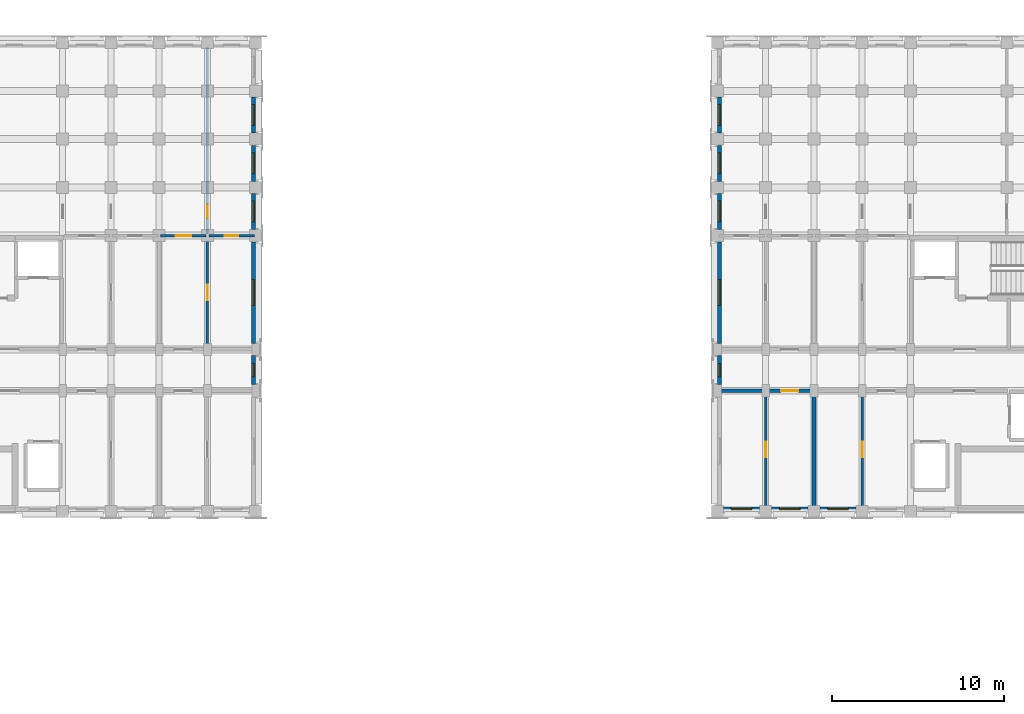
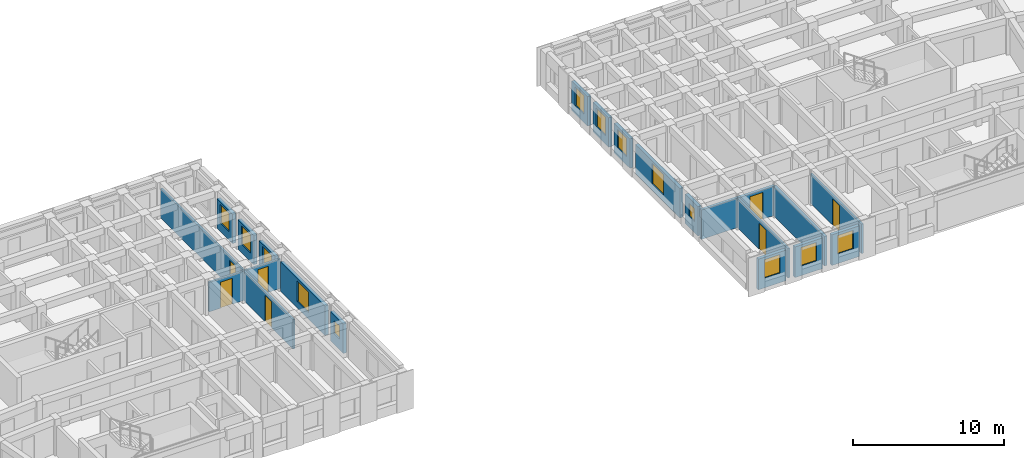
# One storey, part 29 of 57: 22 walls, 13 windows, 7 doors, 20 openings.
"""IFC4 building model written with IfcOpenShell, lengths in metres."""

from ifc_helpers import new_model, si_unit, direction, frame, frame_2d, origin, place, context, subcontext, project, spatial, rectangle, extrude, material, layer, layer_set, type_object, element, fill, save


model = new_model("IFC4")

# Units and contexts
model_context = context("Model", 3, precision=1e-05, world=origin(), true_north=direction((0.0, 1.0)))
body_context = subcontext(model_context, "Body", "Model", "MODEL_VIEW")
ifc_project = project(units=[si_unit("LENGTHUNIT", "METRE"), si_unit("AREAUNIT", "SQUARE_METRE"), si_unit("VOLUMEUNIT", "CUBIC_METRE"), si_unit("PLANEANGLEUNIT", "RADIAN"), si_unit("MASSUNIT", "GRAM", prefix="KILO")], contexts=[model_context])

# Site, building, storey
site_placement = place(None, origin())
site = spatial("IfcSite", under=ifc_project, at=site_placement, CompositionType="ELEMENT")
building_placement = place(site_placement, origin())
building = spatial("IfcBuilding", under=site, at=building_placement, Name="Kiranvali Square Residences", CompositionType="ELEMENT")
storey_placement = place(building_placement, frame((0.0, 0.0, 18.14990234375)))
storey = spatial("IfcBuildingStorey", under=building, at=storey_placement, Name="L05", CompositionType="ELEMENT", Elevation=18.14990234375)

# Wall, opening, door
ifc_material_1 = material(Name="Autoclaved aerated concrete blockwork masonry", Category="masonry")
ifc_layer_1 = layer(ifc_material_1, 0.199951171875)
ifc_layer_set_1 = layer_set([ifc_layer_1], Name="Autoclaved aerated concrete blockwork masonry")
wall_type_1 = type_object("IfcWallType", Name="WL-COR-200", PredefinedType="STANDARD", material=ifc_layer_set_1)
wall_1_placement = place(storey_placement, frame((103.0, 113.60009765625, 0.0), z_axis=(0.0, 0.0, 1.0), x_axis=(-1.0, 0.0, 0.0)))
wall_1 = element("IfcWall", 1, at=wall_1_placement, inside=storey, type_object=wall_type_1, Name="L05 architectural wall WL-L05-B-A1CI-2", PredefinedType="STANDARD", context=body_context, shape_type="SweptSolid", body=[
    extrude(rectangle(XDim=2.800048828125, YDim=0.199951171875, at=frame_2d((1.39990234375, 0.0))), origin(), (0.0, 0.0, 1.0), 2.3720703125),
])
opening_1_placement = place(wall_1_placement, frame((0.89990234375, 0.0, 0.0)))
opening_1 = element("IfcOpeningElement", 2, at=opening_1_placement, cuts=wall_1, Name="Opening FD-APT-60", PredefinedType="OPENING", context=body_context, shape_type="SweptSolid", body=[
    extrude(rectangle(XDim=1.0, YDim=2.14990234375, at=frame_2d((0.5, 1.074951171875))), frame((0.0, 0.10986328125, 0.0), z_axis=(0.0, -1.0, 0.0), x_axis=(1.0, 0.0, 0.0)), (0.0, 0.0, 1.0), 0.219970703125),
])
ifc_material_2 = material(Name="Fire-rated acoustic hardwood and mineral-core door assembly", Category="wood")
door_type_1 = type_object("IfcDoorType", Name="DR-APT-1000", OperationType="NOTDEFINED", PredefinedType="DOOR", material=ifc_material_2)
door_1_placement = place(opening_1_placement, origin())
door_1 = element("IfcDoor", 3, at=door_1_placement, inside=storey, type_object=door_type_1, Name="L05 door DR-L05-1271 (DR-APT-1000)", OperationType="SINGLE_SWING_LEFT", OverallHeight=2.14990234375, OverallWidth=1.0, PredefinedType="DOOR", context=body_context, shape_type="SweptSolid", body=[
    extrude(rectangle(XDim=1.0, YDim=2.14990234375, at=frame_2d((0.5, 1.074951171875))), frame((0.0, 0.02490234375, 0.0), z_axis=(0.0, -1.0, 0.0), x_axis=(1.0, 0.0, 0.0)), (0.0, 0.0, 1.0), 0.050048828125),
])
fill(opening_1, door_1)

# Walls
wall_2_placement = place(storey_placement, frame((100.199951171875, 113.60009765625, 0.0), z_axis=(0.0, 0.0, 1.0), x_axis=(-1.0, 0.0, 0.0)))
element("IfcWall", 4, at=wall_2_placement, inside=storey, type_object=wall_type_1, Name="L05 architectural wall WL-L05-B-A1CI-3", PredefinedType="STANDARD", context=body_context, shape_type="SweptSolid", body=[
    extrude(rectangle(XDim=2.800048828125, YDim=0.199951171875, at=frame_2d((1.39990234375, 0.0))), origin(), (0.0, 0.0, 1.0), 2.3720703125),
])
ifc_layer_2 = layer(ifc_material_1, 0.219970703125)
ifc_layer_set_2 = layer_set([ifc_layer_2], Name="Autoclaved aerated concrete blockwork masonry")
wall_type_2 = type_object("IfcWallType", Name="WL-DEM-220", PredefinedType="STANDARD", material=ifc_layer_set_2)
wall_3_placement = place(storey_placement, frame((103.0, 106.800048828125, 0.0), z_axis=(0.0, 0.0, 1.0), x_axis=(0.0, 1.0, 0.0)))
element("IfcWall", 5, at=wall_3_placement, inside=storey, type_object=wall_type_2, Name="L05 architectural wall WL-L05-B-A1TI-2", PredefinedType="STANDARD", context=body_context, shape_type="SweptSolid", body=[
    extrude(rectangle(XDim=6.75, YDim=0.219970703125, at=frame_2d((3.375, 0.0))), origin(), (0.0, 0.0, 1.0), 2.3720703125),
])

# Wall, opening, window
ifc_material_3 = material(Name="Breathable lime-rendered clay brick masonry", Category="masonry")
ifc_layer_3 = layer(ifc_material_3, 0.25)
ifc_layer_set_3 = layer_set([ifc_layer_3], Name="Breathable lime-rendered clay brick masonry")
wall_type_3 = type_object("IfcWallType", Name="WL-EXT-250", PredefinedType="STANDARD", material=ifc_layer_set_3)
wall_4_placement = place(storey_placement, frame((70.47509765625, 113.95361328125, 0.0), z_axis=(0.0, 0.0, 1.0), x_axis=(0.0, 1.0, 0.0)))
wall_4 = element("IfcWall", 6, at=wall_4_placement, inside=storey, type_object=wall_type_3, Name="L05 exterior wall A-L05-A1END-1", PredefinedType="STANDARD", context=body_context, shape_type="SweptSolid", body=[
    extrude(rectangle(XDim=1.69287109375, YDim=0.25, at=frame_2d((0.846435546875, 0.0))), origin(), (0.0, 0.0, 1.0), 2.3720703125),
])
opening_2_placement = place(wall_4_placement, frame((0.471435546875, 0.0, 0.8798828125)))
opening_2 = element("IfcOpeningElement", 7, at=opening_2_placement, cuts=wall_4, Name="Opening W-07", PredefinedType="OPENING", context=body_context, shape_type="SweptSolid", body=[
    extrude(rectangle(XDim=0.75, YDim=1.050048828125, at=frame_2d((0.375, 0.52490234375))), frame((0.0, 0.135009765625, 0.0), z_axis=(0.0, -1.0, 0.0), x_axis=(1.0, 0.0, 0.0)), (0.0, 0.0, 1.0), 0.27001953125),
])
ifc_material_4 = material(Name="Solar-control low-e double glazing", Category="glass")
window_type_1 = type_object("IfcWindowType", Name="WIN-WET-750x1050", PartitioningType="SINGLE_PANEL", PredefinedType="WINDOW", material=ifc_material_4)
window_1_placement = place(opening_2_placement, origin())
window_1 = element("IfcWindow", 8, at=window_1_placement, inside=storey, type_object=window_type_1, Name="L05 recessed window A-L05-A1END-1", OverallHeight=1.050048828125, OverallWidth=0.75, PartitioningType="SINGLE_PANEL", PredefinedType="WINDOW", context=body_context, shape_type="SweptSolid", body=[
    extrude(rectangle(XDim=0.75, YDim=1.050048828125, at=frame_2d((0.375, 0.52490234375))), frame((0.0, 0.030029296875, 0.0), z_axis=(0.0, -1.0, 0.0), x_axis=(1.0, 0.0, 0.0)), (0.0, 0.0, 1.0), 0.06005859375),
])
fill(opening_2, window_1)

wall_5_placement = place(storey_placement, frame((70.47509765625, 116.353515625, 0.0), z_axis=(0.0, 0.0, 1.0), x_axis=(0.0, 1.0, 0.0)))
wall_5 = element("IfcWall", 9, at=wall_5_placement, inside=storey, type_object=wall_type_3, Name="L05 exterior wall A-L05-A1END-2", PredefinedType="STANDARD", context=body_context, shape_type="SweptSolid", body=[
    extrude(rectangle(XDim=5.89306640625, YDim=0.25, at=frame_2d((2.946533203125, 0.0))), origin(), (0.0, 0.0, 1.0), 2.3720703125),
])
opening_3_placement = place(wall_5_placement, frame((2.196533203125, 0.0, 0.52197265625)))
opening_3 = element("IfcOpeningElement", 10, at=opening_3_placement, cuts=wall_5, Name="Opening W-05", PredefinedType="OPENING", context=body_context, shape_type="SweptSolid", body=[
    extrude(rectangle(XDim=1.5, YDim=1.64990234375, at=frame_2d((0.75, 0.824951171875))), frame((0.0, 0.135009765625, 0.0), z_axis=(0.0, -1.0, 0.0), x_axis=(1.0, 0.0, 0.0)), (0.0, 0.0, 1.0), 0.27001953125),
])
window_type_2 = type_object("IfcWindowType", Name="WIN-RES-1500x1650", PartitioningType="DOUBLE_PANEL_VERTICAL", PredefinedType="WINDOW", material=ifc_material_4)
window_2_placement = place(opening_3_placement, origin())
window_2 = element("IfcWindow", 11, at=window_2_placement, inside=storey, type_object=window_type_2, Name="L05 recessed window A-L05-A1END-2", OverallHeight=1.64990234375, OverallWidth=1.5, PartitioningType="DOUBLE_PANEL_VERTICAL", PredefinedType="WINDOW", context=body_context, shape_type="SweptSolid", body=[
    extrude(rectangle(XDim=1.5, YDim=1.64990234375, at=frame_2d((0.75, 0.824951171875))), frame((0.0, 0.030029296875, 0.0), z_axis=(0.0, -1.0, 0.0), x_axis=(1.0, 0.0, 0.0)), (0.0, 0.0, 1.0), 0.06005859375),
])
fill(opening_3, window_2)

wall_6_placement = place(storey_placement, frame((70.47509765625, 122.95361328125, 0.0), z_axis=(0.0, 0.0, 1.0), x_axis=(0.0, 1.0, 0.0)))
wall_6 = element("IfcWall", 12, at=wall_6_placement, inside=storey, type_object=wall_type_3, Name="L05 exterior wall A-L05-A1END-3", PredefinedType="STANDARD", context=body_context, shape_type="SweptSolid", body=[
    extrude(rectangle(XDim=2.0927734375, YDim=0.25, at=frame_2d((1.04638671875, 0.0))), origin(), (0.0, 0.0, 1.0), 2.3720703125),
])
opening_4_placement = place(wall_6_placement, frame((0.446533203125, 0.0, 0.672119140625)))
opening_4 = element("IfcOpeningElement", 13, at=opening_4_placement, cuts=wall_6, Name="Opening W-06", PredefinedType="OPENING", context=body_context, shape_type="SweptSolid", body=[
    extrude(rectangle(XDim=1.199951171875, YDim=1.5, at=frame_2d((0.60009765625, 0.75))), frame((0.0, 0.135009765625, 0.0), z_axis=(0.0, -1.0, 0.0), x_axis=(1.0, 0.0, 0.0)), (0.0, 0.0, 1.0), 0.27001953125),
])
window_type_3 = type_object("IfcWindowType", Name="WIN-RES-1200x1500", PartitioningType="SINGLE_PANEL", PredefinedType="WINDOW", material=ifc_material_4)
window_3_placement = place(opening_4_placement, origin())
window_3 = element("IfcWindow", 14, at=window_3_placement, inside=storey, type_object=window_type_3, Name="L05 recessed window A-L05-A1END-3", OverallHeight=1.5, OverallWidth=1.199951171875, PartitioningType="SINGLE_PANEL", PredefinedType="WINDOW", context=body_context, shape_type="SweptSolid", body=[
    extrude(rectangle(XDim=1.199951171875, YDim=1.5, at=frame_2d((0.60009765625, 0.75))), frame((0.0, 0.030029296875, 0.0), z_axis=(0.0, -1.0, 0.0), x_axis=(1.0, 0.0, 0.0)), (0.0, 0.0, 1.0), 0.06005859375),
])
fill(opening_4, window_3)

wall_7_placement = place(storey_placement, frame((70.47509765625, 125.75341796875, 0.0), z_axis=(0.0, 0.0, 1.0), x_axis=(0.0, 1.0, 0.0)))
wall_7 = element("IfcWall", 15, at=wall_7_placement, inside=storey, type_object=wall_type_3, Name="L05 exterior wall A-L05-A1END-4", PredefinedType="STANDARD", context=body_context, shape_type="SweptSolid", body=[
    extrude(rectangle(XDim=2.093017578125, YDim=0.25, at=frame_2d((1.04638671875, 0.0))), origin(), (0.0, 0.0, 1.0), 2.3720703125),
])
opening_5_placement = place(wall_7_placement, frame((0.446533203125, 0.0, 0.672119140625)))
opening_5 = element("IfcOpeningElement", 16, at=opening_5_placement, cuts=wall_7, Name="Opening W-06", PredefinedType="OPENING", context=body_context, shape_type="SweptSolid", body=[
    extrude(rectangle(XDim=1.199951171875, YDim=1.5, at=frame_2d((0.60009765625, 0.75))), frame((0.0, 0.135009765625, 0.0), z_axis=(0.0, -1.0, 0.0), x_axis=(1.0, 0.0, 0.0)), (0.0, 0.0, 1.0), 0.27001953125),
])
window_4_placement = place(opening_5_placement, origin())
window_4 = element("IfcWindow", 17, at=window_4_placement, inside=storey, type_object=window_type_3, Name="L05 recessed window A-L05-A1END-4", OverallHeight=1.5, OverallWidth=1.199951171875, PartitioningType="SINGLE_PANEL", PredefinedType="WINDOW", context=body_context, shape_type="SweptSolid", body=[
    extrude(rectangle(XDim=1.199951171875, YDim=1.5, at=frame_2d((0.60009765625, 0.75))), frame((0.0, 0.030029296875, 0.0), z_axis=(0.0, -1.0, 0.0), x_axis=(1.0, 0.0, 0.0)), (0.0, 0.0, 1.0), 0.06005859375),
])
fill(opening_5, window_4)

wall_8_placement = place(storey_placement, frame((70.47509765625, 128.553466796875, 0.0), z_axis=(0.0, 0.0, 1.0), x_axis=(0.0, 1.0, 0.0)))
wall_8 = element("IfcWall", 18, at=wall_8_placement, inside=storey, type_object=wall_type_3, Name="L05 exterior wall A-L05-A1END-5", PredefinedType="STANDARD", context=body_context, shape_type="SweptSolid", body=[
    extrude(rectangle(XDim=2.093017578125, YDim=0.25, at=frame_2d((1.04638671875, 0.0))), origin(), (0.0, 0.0, 1.0), 2.3720703125),
])
opening_6_placement = place(wall_8_placement, frame((0.446533203125, 0.0, 0.672119140625)))
opening_6 = element("IfcOpeningElement", 19, at=opening_6_placement, cuts=wall_8, Name="Opening W-06", PredefinedType="OPENING", context=body_context, shape_type="SweptSolid", body=[
    extrude(rectangle(XDim=1.199951171875, YDim=1.5, at=frame_2d((0.60009765625, 0.75))), frame((0.0, 0.135009765625, 0.0), z_axis=(0.0, -1.0, 0.0), x_axis=(1.0, 0.0, 0.0)), (0.0, 0.0, 1.0), 0.27001953125),
])
window_5_placement = place(opening_6_placement, origin())
window_5 = element("IfcWindow", 20, at=window_5_placement, inside=storey, type_object=window_type_3, Name="L05 recessed window A-L05-A1END-5", OverallHeight=1.5, OverallWidth=1.199951171875, PartitioningType="SINGLE_PANEL", PredefinedType="WINDOW", context=body_context, shape_type="SweptSolid", body=[
    extrude(rectangle(XDim=1.199951171875, YDim=1.5, at=frame_2d((0.60009765625, 0.75))), frame((0.0, 0.030029296875, 0.0), z_axis=(0.0, -1.0, 0.0), x_axis=(1.0, 0.0, 0.0)), (0.0, 0.0, 1.0), 0.06005859375),
])
fill(opening_6, window_5)

wall_9_placement = place(storey_placement, frame((105.446533203125, 106.72509765625, 0.0), z_axis=(0.0, 0.0, 1.0), x_axis=(-1.0, 0.0, 0.0)))
wall_9 = element("IfcWall", 21, at=wall_9_placement, inside=storey, type_object=wall_type_3, Name="L05 exterior wall B-L05-A1I-1", PredefinedType="STANDARD", context=body_context, shape_type="SweptSolid", body=[
    extrude(rectangle(XDim=2.093017578125, YDim=0.25, at=frame_2d((1.04638671875, 0.0))), origin(), (0.0, 0.0, 1.0), 2.47216796875),
])
opening_7_placement = place(wall_9_placement, frame((0.446533203125, 0.0, 0.77197265625)))
opening_7 = element("IfcOpeningElement", 22, at=opening_7_placement, cuts=wall_9, Name="Opening W-06", PredefinedType="OPENING", context=body_context, shape_type="SweptSolid", body=[
    extrude(rectangle(XDim=1.199951171875, YDim=1.5, at=frame_2d((0.60009765625, 0.75))), frame((0.0, 0.135009765625, 0.0), z_axis=(0.0, -1.0, 0.0), x_axis=(1.0, 0.0, 0.0)), (0.0, 0.0, 1.0), 0.27001953125),
])
window_6_placement = place(opening_7_placement, origin())
window_6 = element("IfcWindow", 23, at=window_6_placement, inside=storey, type_object=window_type_3, Name="L05 recessed window B-L05-A1I-1", OverallHeight=1.5, OverallWidth=1.199951171875, PartitioningType="SINGLE_PANEL", PredefinedType="WINDOW", context=body_context, shape_type="SweptSolid", body=[
    extrude(rectangle(XDim=1.199951171875, YDim=1.5, at=frame_2d((0.60009765625, 0.75))), frame((0.0, 0.030029296875, 0.0), z_axis=(0.0, -1.0, 0.0), x_axis=(1.0, 0.0, 0.0)), (0.0, 0.0, 1.0), 0.06005859375),
])
fill(opening_7, window_6)

wall_10_placement = place(storey_placement, frame((102.646484375, 106.72509765625, 0.0), z_axis=(0.0, 0.0, 1.0), x_axis=(-1.0, 0.0, 0.0)))
wall_10 = element("IfcWall", 24, at=wall_10_placement, inside=storey, type_object=wall_type_3, Name="L05 exterior wall B-L05-A1I-2", PredefinedType="STANDARD", context=body_context, shape_type="SweptSolid", body=[
    extrude(rectangle(XDim=2.093017578125, YDim=0.25, at=frame_2d((1.04638671875, 0.0))), origin(), (0.0, 0.0, 1.0), 2.47216796875),
])
opening_8_placement = place(wall_10_placement, frame((0.446533203125, 0.0, 0.77197265625)))
opening_8 = element("IfcOpeningElement", 25, at=opening_8_placement, cuts=wall_10, Name="Opening W-06", PredefinedType="OPENING", context=body_context, shape_type="SweptSolid", body=[
    extrude(rectangle(XDim=1.199951171875, YDim=1.5, at=frame_2d((0.60009765625, 0.75))), frame((0.0, 0.135009765625, 0.0), z_axis=(0.0, -1.0, 0.0), x_axis=(1.0, 0.0, 0.0)), (0.0, 0.0, 1.0), 0.27001953125),
])
window_7_placement = place(opening_8_placement, origin())
window_7 = element("IfcWindow", 26, at=window_7_placement, inside=storey, type_object=window_type_3, Name="L05 recessed window B-L05-A1I-2", OverallHeight=1.5, OverallWidth=1.199951171875, PartitioningType="SINGLE_PANEL", PredefinedType="WINDOW", context=body_context, shape_type="SweptSolid", body=[
    extrude(rectangle(XDim=1.199951171875, YDim=1.5, at=frame_2d((0.60009765625, 0.75))), frame((0.0, 0.030029296875, 0.0), z_axis=(0.0, -1.0, 0.0), x_axis=(1.0, 0.0, 0.0)), (0.0, 0.0, 1.0), 0.06005859375),
])
fill(opening_8, window_7)

wall_11_placement = place(storey_placement, frame((99.846435546875, 106.72509765625, 0.0), z_axis=(0.0, 0.0, 1.0), x_axis=(-1.0, 0.0, 0.0)))
wall_11 = element("IfcWall", 27, at=wall_11_placement, inside=storey, type_object=wall_type_3, Name="L05 exterior wall B-L05-A1I-3", PredefinedType="STANDARD", context=body_context, shape_type="SweptSolid", body=[
    extrude(rectangle(XDim=2.093017578125, YDim=0.25, at=frame_2d((1.04638671875, 0.0))), origin(), (0.0, 0.0, 1.0), 2.47216796875),
])
opening_9_placement = place(wall_11_placement, frame((0.446533203125, 0.0, 0.77197265625)))
opening_9 = element("IfcOpeningElement", 28, at=opening_9_placement, cuts=wall_11, Name="Opening W-06", PredefinedType="OPENING", context=body_context, shape_type="SweptSolid", body=[
    extrude(rectangle(XDim=1.199951171875, YDim=1.5, at=frame_2d((0.60009765625, 0.75))), frame((0.0, 0.135009765625, 0.0), z_axis=(0.0, -1.0, 0.0), x_axis=(1.0, 0.0, 0.0)), (0.0, 0.0, 1.0), 0.27001953125),
])
window_8_placement = place(opening_9_placement, origin())
window_8 = element("IfcWindow", 29, at=window_8_placement, inside=storey, type_object=window_type_3, Name="L05 recessed window B-L05-A1I-3", OverallHeight=1.5, OverallWidth=1.199951171875, PartitioningType="SINGLE_PANEL", PredefinedType="WINDOW", context=body_context, shape_type="SweptSolid", body=[
    extrude(rectangle(XDim=1.199951171875, YDim=1.5, at=frame_2d((0.60009765625, 0.75))), frame((0.0, 0.030029296875, 0.0), z_axis=(0.0, -1.0, 0.0), x_axis=(1.0, 0.0, 0.0)), (0.0, 0.0, 1.0), 0.06005859375),
])
fill(opening_9, window_8)

wall_12_placement = place(storey_placement, frame((97.52490234375, 113.95361328125, 0.0), z_axis=(0.0, 0.0, 1.0), x_axis=(0.0, 1.0, 0.0)))
wall_12 = element("IfcWall", 30, at=wall_12_placement, inside=storey, type_object=wall_type_3, Name="L05 exterior wall B-L05-A1END-1", PredefinedType="STANDARD", context=body_context, shape_type="SweptSolid", body=[
    extrude(rectangle(XDim=1.69287109375, YDim=0.25, at=frame_2d((0.846435546875, 0.0))), origin(), (0.0, 0.0, 1.0), 2.3720703125),
])
opening_10_placement = place(wall_12_placement, frame((0.471435546875, 0.0, 0.8798828125)))
opening_10 = element("IfcOpeningElement", 31, at=opening_10_placement, cuts=wall_12, Name="Opening W-07", PredefinedType="OPENING", context=body_context, shape_type="SweptSolid", body=[
    extrude(rectangle(XDim=0.75, YDim=1.050048828125, at=frame_2d((0.375, 0.52490234375))), frame((0.0, 0.135009765625, 0.0), z_axis=(0.0, -1.0, 0.0), x_axis=(1.0, 0.0, 0.0)), (0.0, 0.0, 1.0), 0.27001953125),
])
window_9_placement = place(opening_10_placement, origin())
window_9 = element("IfcWindow", 32, at=window_9_placement, inside=storey, type_object=window_type_1, Name="L05 recessed window B-L05-A1END-1", OverallHeight=1.050048828125, OverallWidth=0.75, PartitioningType="SINGLE_PANEL", PredefinedType="WINDOW", context=body_context, shape_type="SweptSolid", body=[
    extrude(rectangle(XDim=0.75, YDim=1.050048828125, at=frame_2d((0.375, 0.52490234375))), frame((0.0, 0.030029296875, 0.0), z_axis=(0.0, -1.0, 0.0), x_axis=(1.0, 0.0, 0.0)), (0.0, 0.0, 1.0), 0.06005859375),
])
fill(opening_10, window_9)

wall_13_placement = place(storey_placement, frame((97.52490234375, 116.353515625, 0.0), z_axis=(0.0, 0.0, 1.0), x_axis=(0.0, 1.0, 0.0)))
wall_13 = element("IfcWall", 33, at=wall_13_placement, inside=storey, type_object=wall_type_3, Name="L05 exterior wall B-L05-A1END-2", PredefinedType="STANDARD", context=body_context, shape_type="SweptSolid", body=[
    extrude(rectangle(XDim=5.89306640625, YDim=0.25, at=frame_2d((2.946533203125, 0.0))), origin(), (0.0, 0.0, 1.0), 2.3720703125),
])
opening_11_placement = place(wall_13_placement, frame((2.196533203125, 0.0, 0.52197265625)))
opening_11 = element("IfcOpeningElement", 34, at=opening_11_placement, cuts=wall_13, Name="Opening W-05", PredefinedType="OPENING", context=body_context, shape_type="SweptSolid", body=[
    extrude(rectangle(XDim=1.5, YDim=1.64990234375, at=frame_2d((0.75, 0.824951171875))), frame((0.0, 0.135009765625, 0.0), z_axis=(0.0, -1.0, 0.0), x_axis=(1.0, 0.0, 0.0)), (0.0, 0.0, 1.0), 0.27001953125),
])
window_10_placement = place(opening_11_placement, origin())
window_10 = element("IfcWindow", 35, at=window_10_placement, inside=storey, type_object=window_type_2, Name="L05 recessed window B-L05-A1END-2", OverallHeight=1.64990234375, OverallWidth=1.5, PartitioningType="DOUBLE_PANEL_VERTICAL", PredefinedType="WINDOW", context=body_context, shape_type="SweptSolid", body=[
    extrude(rectangle(XDim=1.5, YDim=1.64990234375, at=frame_2d((0.75, 0.824951171875))), frame((0.0, 0.030029296875, 0.0), z_axis=(0.0, -1.0, 0.0), x_axis=(1.0, 0.0, 0.0)), (0.0, 0.0, 1.0), 0.06005859375),
])
fill(opening_11, window_10)

wall_14_placement = place(storey_placement, frame((97.52490234375, 122.95361328125, 0.0), z_axis=(0.0, 0.0, 1.0), x_axis=(0.0, 1.0, 0.0)))
wall_14 = element("IfcWall", 36, at=wall_14_placement, inside=storey, type_object=wall_type_3, Name="L05 exterior wall B-L05-A1END-3", PredefinedType="STANDARD", context=body_context, shape_type="SweptSolid", body=[
    extrude(rectangle(XDim=2.0927734375, YDim=0.25, at=frame_2d((1.04638671875, 0.0))), origin(), (0.0, 0.0, 1.0), 2.3720703125),
])
opening_12_placement = place(wall_14_placement, frame((0.446533203125, 0.0, 0.672119140625)))
opening_12 = element("IfcOpeningElement", 37, at=opening_12_placement, cuts=wall_14, Name="Opening W-06", PredefinedType="OPENING", context=body_context, shape_type="SweptSolid", body=[
    extrude(rectangle(XDim=1.199951171875, YDim=1.5, at=frame_2d((0.60009765625, 0.75))), frame((0.0, 0.135009765625, 0.0), z_axis=(0.0, -1.0, 0.0), x_axis=(1.0, 0.0, 0.0)), (0.0, 0.0, 1.0), 0.27001953125),
])
window_11_placement = place(opening_12_placement, origin())
window_11 = element("IfcWindow", 38, at=window_11_placement, inside=storey, type_object=window_type_3, Name="L05 recessed window B-L05-A1END-3", OverallHeight=1.5, OverallWidth=1.199951171875, PartitioningType="SINGLE_PANEL", PredefinedType="WINDOW", context=body_context, shape_type="SweptSolid", body=[
    extrude(rectangle(XDim=1.199951171875, YDim=1.5, at=frame_2d((0.60009765625, 0.75))), frame((0.0, 0.030029296875, 0.0), z_axis=(0.0, -1.0, 0.0), x_axis=(1.0, 0.0, 0.0)), (0.0, 0.0, 1.0), 0.06005859375),
])
fill(opening_12, window_11)

wall_15_placement = place(storey_placement, frame((97.52490234375, 125.75341796875, 0.0), z_axis=(0.0, 0.0, 1.0), x_axis=(0.0, 1.0, 0.0)))
wall_15 = element("IfcWall", 39, at=wall_15_placement, inside=storey, type_object=wall_type_3, Name="L05 exterior wall B-L05-A1END-4", PredefinedType="STANDARD", context=body_context, shape_type="SweptSolid", body=[
    extrude(rectangle(XDim=2.093017578125, YDim=0.25, at=frame_2d((1.04638671875, 0.0))), origin(), (0.0, 0.0, 1.0), 2.3720703125),
])
opening_13_placement = place(wall_15_placement, frame((0.446533203125, 0.0, 0.672119140625)))
opening_13 = element("IfcOpeningElement", 40, at=opening_13_placement, cuts=wall_15, Name="Opening W-06", PredefinedType="OPENING", context=body_context, shape_type="SweptSolid", body=[
    extrude(rectangle(XDim=1.199951171875, YDim=1.5, at=frame_2d((0.60009765625, 0.75))), frame((0.0, 0.135009765625, 0.0), z_axis=(0.0, -1.0, 0.0), x_axis=(1.0, 0.0, 0.0)), (0.0, 0.0, 1.0), 0.27001953125),
])
window_12_placement = place(opening_13_placement, origin())
window_12 = element("IfcWindow", 41, at=window_12_placement, inside=storey, type_object=window_type_3, Name="L05 recessed window B-L05-A1END-4", OverallHeight=1.5, OverallWidth=1.199951171875, PartitioningType="SINGLE_PANEL", PredefinedType="WINDOW", context=body_context, shape_type="SweptSolid", body=[
    extrude(rectangle(XDim=1.199951171875, YDim=1.5, at=frame_2d((0.60009765625, 0.75))), frame((0.0, 0.030029296875, 0.0), z_axis=(0.0, -1.0, 0.0), x_axis=(1.0, 0.0, 0.0)), (0.0, 0.0, 1.0), 0.06005859375),
])
fill(opening_13, window_12)

wall_16_placement = place(storey_placement, frame((97.52490234375, 128.553466796875, 0.0), z_axis=(0.0, 0.0, 1.0), x_axis=(0.0, 1.0, 0.0)))
wall_16 = element("IfcWall", 42, at=wall_16_placement, inside=storey, type_object=wall_type_3, Name="L05 exterior wall B-L05-A1END-5", PredefinedType="STANDARD", context=body_context, shape_type="SweptSolid", body=[
    extrude(rectangle(XDim=2.093017578125, YDim=0.25, at=frame_2d((1.04638671875, 0.0))), origin(), (0.0, 0.0, 1.0), 2.3720703125),
])
opening_14_placement = place(wall_16_placement, frame((0.446533203125, 0.0, 0.672119140625)))
opening_14 = element("IfcOpeningElement", 43, at=opening_14_placement, cuts=wall_16, Name="Opening W-06", PredefinedType="OPENING", context=body_context, shape_type="SweptSolid", body=[
    extrude(rectangle(XDim=1.199951171875, YDim=1.5, at=frame_2d((0.60009765625, 0.75))), frame((0.0, 0.135009765625, 0.0), z_axis=(0.0, -1.0, 0.0), x_axis=(1.0, 0.0, 0.0)), (0.0, 0.0, 1.0), 0.27001953125),
])
window_13_placement = place(opening_14_placement, origin())
window_13 = element("IfcWindow", 44, at=window_13_placement, inside=storey, type_object=window_type_3, Name="L05 recessed window B-L05-A1END-5", OverallHeight=1.5, OverallWidth=1.199951171875, PartitioningType="SINGLE_PANEL", PredefinedType="WINDOW", context=body_context, shape_type="SweptSolid", body=[
    extrude(rectangle(XDim=1.199951171875, YDim=1.5, at=frame_2d((0.60009765625, 0.75))), frame((0.0, 0.030029296875, 0.0), z_axis=(0.0, -1.0, 0.0), x_axis=(1.0, 0.0, 0.0)), (0.0, 0.0, 1.0), 0.06005859375),
])
fill(opening_14, window_13)

# Wall, opening, door
ifc_material_5 = material(Name="Acoustic gypsum board drylined partition", Category="gypsum")
ifc_layer_4 = layer(ifc_material_5, 0.14990234375)
ifc_layer_set_4 = layer_set([ifc_layer_4], Name="Acoustic gypsum board drylined partition")
wall_type_4 = type_object("IfcWallType", Name="WL-PRT-150", PredefinedType="PARTITIONING", material=ifc_layer_set_4)
wall_17_placement = place(storey_placement, frame((67.800048828125, 116.050048828125, 0.0), z_axis=(0.0, 0.0, 1.0), x_axis=(0.0, 1.0, 0.0)))
wall_17 = element("IfcWall", 45, at=wall_17_placement, inside=storey, type_object=wall_type_4, Name="L05 architectural wall WL-L05-A-A1TO1-3", PredefinedType="PARTITIONING", context=body_context, shape_type="SweptSolid", body=[
    extrude(rectangle(XDim=6.530029296875, YDim=0.14990234375, at=frame_2d((3.26513671875, 0.0))), origin(), (0.0, 0.0, 1.0), 2.3720703125),
])
opening_15_placement = place(wall_17_placement, frame((2.81494140625, 0.0, 0.0)))
opening_15 = element("IfcOpeningElement", 46, at=opening_15_placement, cuts=wall_17, Name="Opening ID-1", PredefinedType="OPENING", context=body_context, shape_type="SweptSolid", body=[
    extrude(rectangle(XDim=0.89990234375, YDim=2.10009765625, at=frame_2d((0.449951171875, 1.050048828125))), frame((0.0, 0.0849609375, 0.0), z_axis=(0.0, -1.0, 0.0), x_axis=(1.0, 0.0, 0.0)), (0.0, 0.0, 1.0), 0.169921875),
])
ifc_material_6 = material(Name="Solid seasoned teak hardwood joinery", Category="wood")
door_type_2 = type_object("IfcDoorType", Name="DR-INT-900", OperationType="NOTDEFINED", PredefinedType="DOOR", material=ifc_material_6)
door_2_placement = place(opening_15_placement, origin())
door_2 = element("IfcDoor", 47, at=door_2_placement, inside=storey, type_object=door_type_2, Name="L05 door DR-L05-0355 (DR-INT-900)", OperationType="SINGLE_SWING_LEFT", OverallHeight=2.10009765625, OverallWidth=0.89990234375, PredefinedType="DOOR", context=body_context, shape_type="SweptSolid", body=[
    extrude(rectangle(XDim=0.89990234375, YDim=2.10009765625, at=frame_2d((0.449951171875, 1.050048828125))), frame((0.0, 0.02490234375, 0.0), z_axis=(0.0, -1.0, 0.0), x_axis=(1.0, 0.0, 0.0)), (0.0, 0.0, 1.0), 0.050048828125),
])
fill(opening_15, door_2)

wall_18_placement = place(storey_placement, frame((67.800048828125, 122.699951171875, 0.0), z_axis=(0.0, 0.0, 1.0), x_axis=(0.0, 1.0, 0.0)))
wall_18 = element("IfcWall", 48, at=wall_18_placement, inside=storey, type_object=wall_type_4, Name="L05 architectural wall WL-L05-A-A1TO2-3", PredefinedType="PARTITIONING", context=body_context, shape_type="SweptSolid", body=[
    extrude(rectangle(XDim=10.820068359375, YDim=0.14990234375, at=frame_2d((5.41015625, 0.0))), origin(), (0.0, 0.0, 1.0), 2.3720703125),
])
opening_16_placement = place(wall_18_placement, frame((0.8994140625, 0.0, 0.0)))
opening_16 = element("IfcOpeningElement", 49, at=opening_16_placement, cuts=wall_18, Name="Opening ID-WET", PredefinedType="OPENING", context=body_context, shape_type="SweptSolid", body=[
    extrude(rectangle(XDim=0.800048828125, YDim=2.10009765625, at=frame_2d((0.39990234375, 1.050048828125))), frame((0.0, 0.0849609375, 0.0), z_axis=(0.0, -1.0, 0.0), x_axis=(1.0, 0.0, 0.0)), (0.0, 0.0, 1.0), 0.169921875),
])
door_type_3 = type_object("IfcDoorType", Name="DR-WET-800", OperationType="NOTDEFINED", PredefinedType="DOOR", material=ifc_material_6)
door_3_placement = place(opening_16_placement, frame((0.800048828125, 0.0, 0.0), z_axis=(0.0, 0.0, 1.0), x_axis=(-1.0, 0.0, 0.0)))
door_3 = element("IfcDoor", 50, at=door_3_placement, inside=storey, type_object=door_type_3, Name="L05 door DR-L05-0356 (DR-WET-800)", OperationType="SINGLE_SWING_RIGHT", OverallHeight=2.10009765625, OverallWidth=0.800048828125, PredefinedType="DOOR", context=body_context, shape_type="SweptSolid", body=[
    extrude(rectangle(XDim=0.800048828125, YDim=2.10009765625, at=frame_2d((0.39990234375, 1.050048828125))), frame((0.0, 0.02490234375, 0.0), z_axis=(0.0, -1.0, 0.0), x_axis=(1.0, 0.0, 0.0)), (0.0, 0.0, 1.0), 0.050048828125),
])
fill(opening_16, door_3)

wall_19_placement = place(storey_placement, frame((105.800048828125, 106.800048828125, 0.0), z_axis=(0.0, 0.0, 1.0), x_axis=(0.0, 1.0, 0.0)))
wall_19 = element("IfcWall", 51, at=wall_19_placement, inside=storey, type_object=wall_type_4, Name="L05 architectural wall WL-L05-B-A1TI-1", PredefinedType="PARTITIONING", context=body_context, shape_type="SweptSolid", body=[
    extrude(rectangle(XDim=6.75, YDim=0.14990234375, at=frame_2d((3.375, 0.0))), origin(), (0.0, 0.0, 1.0), 2.3720703125),
])
opening_17_placement = place(wall_19_placement, frame((2.925048828125, 0.0, 0.0)))
opening_17 = element("IfcOpeningElement", 52, at=opening_17_placement, cuts=wall_19, Name="Opening ID-1", PredefinedType="OPENING", context=body_context, shape_type="SweptSolid", body=[
    extrude(rectangle(XDim=0.89990234375, YDim=2.10009765625, at=frame_2d((0.449951171875, 1.050048828125))), frame((0.0, 0.0849609375, 0.0), z_axis=(0.0, -1.0, 0.0), x_axis=(1.0, 0.0, 0.0)), (0.0, 0.0, 1.0), 0.169921875),
])
door_4_placement = place(opening_17_placement, frame((0.89990234375, 0.0, 0.0), z_axis=(0.0, 0.0, 1.0), x_axis=(-1.0, 0.0, 0.0)))
door_4 = element("IfcDoor", 53, at=door_4_placement, inside=storey, type_object=door_type_2, Name="L05 door DR-L05-1276 (DR-INT-900)", OperationType="SINGLE_SWING_RIGHT", OverallHeight=2.10009765625, OverallWidth=0.89990234375, PredefinedType="DOOR", context=body_context, shape_type="SweptSolid", body=[
    extrude(rectangle(XDim=0.89990234375, YDim=2.10009765625, at=frame_2d((0.449951171875, 1.050048828125))), frame((0.0, 0.02490234375, 0.0), z_axis=(0.0, -1.0, 0.0), x_axis=(1.0, 0.0, 0.0)), (0.0, 0.0, 1.0), 0.050048828125),
])
fill(opening_17, door_4)

wall_20_placement = place(storey_placement, frame((100.199951171875, 106.800048828125, 0.0), z_axis=(0.0, 0.0, 1.0), x_axis=(0.0, 1.0, 0.0)))
wall_20 = element("IfcWall", 54, at=wall_20_placement, inside=storey, type_object=wall_type_4, Name="L05 architectural wall WL-L05-B-A1TI-3", PredefinedType="PARTITIONING", context=body_context, shape_type="SweptSolid", body=[
    extrude(rectangle(XDim=6.75, YDim=0.14990234375, at=frame_2d((3.375, 0.0))), origin(), (0.0, 0.0, 1.0), 2.3720703125),
])
opening_18_placement = place(wall_20_placement, frame((2.925048828125, 0.0, 0.0)))
opening_18 = element("IfcOpeningElement", 55, at=opening_18_placement, cuts=wall_20, Name="Opening ID-1", PredefinedType="OPENING", context=body_context, shape_type="SweptSolid", body=[
    extrude(rectangle(XDim=0.89990234375, YDim=2.10009765625, at=frame_2d((0.449951171875, 1.050048828125))), frame((0.0, 0.0849609375, 0.0), z_axis=(0.0, -1.0, 0.0), x_axis=(1.0, 0.0, 0.0)), (0.0, 0.0, 1.0), 0.169921875),
])
door_5_placement = place(opening_18_placement, origin())
door_5 = element("IfcDoor", 56, at=door_5_placement, inside=storey, type_object=door_type_2, Name="L05 door DR-L05-1279 (DR-INT-900)", OperationType="SINGLE_SWING_LEFT", OverallHeight=2.10009765625, OverallWidth=0.89990234375, PredefinedType="DOOR", context=body_context, shape_type="SweptSolid", body=[
    extrude(rectangle(XDim=0.89990234375, YDim=2.10009765625, at=frame_2d((0.449951171875, 1.050048828125))), frame((0.0, 0.02490234375, 0.0), z_axis=(0.0, -1.0, 0.0), x_axis=(1.0, 0.0, 0.0)), (0.0, 0.0, 1.0), 0.050048828125),
])
fill(opening_18, door_5)

ifc_layer_5 = layer(ifc_material_1, 0.14990234375)
ifc_layer_set_5 = layer_set([ifc_layer_5], Name="Autoclaved aerated concrete blockwork masonry")
wall_type_5 = type_object("IfcWallType", Name="WL-WET-150", PredefinedType="PLUMBINGWALL", material=ifc_layer_set_5)
wall_21_placement = place(storey_placement, frame((65.080078125, 122.60009765625, 0.0), z_axis=(0.0, 0.0, 1.0), x_axis=(1.0, 0.0, 0.0)))
wall_21 = element("IfcWall", 57, at=wall_21_placement, inside=storey, type_object=wall_type_5, Name="L05 architectural wall WL-L05-A-A1SP-2", PredefinedType="PLUMBINGWALL", context=body_context, shape_type="SweptSolid", body=[
    extrude(rectangle(XDim=2.639892578125, YDim=0.14990234375, at=frame_2d((1.31982421875, 0.0))), origin(), (0.0, 0.0, 1.0), 2.3720703125),
])
opening_19_placement = place(wall_21_placement, frame((0.8701171875, 0.0, 0.0)))
opening_19 = element("IfcOpeningElement", 58, at=opening_19_placement, cuts=wall_21, Name="Opening ID-1", PredefinedType="OPENING", context=body_context, shape_type="SweptSolid", body=[
    extrude(rectangle(XDim=0.89990234375, YDim=2.10009765625, at=frame_2d((0.449951171875, 1.050048828125))), frame((0.0, 0.0849609375, 0.0), z_axis=(0.0, -1.0, 0.0), x_axis=(1.0, 0.0, 0.0)), (0.0, 0.0, 1.0), 0.169921875),
])
door_6_placement = place(opening_19_placement, origin())
door_6 = element("IfcDoor", 59, at=door_6_placement, inside=storey, type_object=door_type_2, Name="L05 door DR-L05-0347 (DR-INT-900)", OperationType="SINGLE_SWING_LEFT", OverallHeight=2.10009765625, OverallWidth=0.89990234375, PredefinedType="DOOR", context=body_context, shape_type="SweptSolid", body=[
    extrude(rectangle(XDim=0.89990234375, YDim=2.10009765625, at=frame_2d((0.449951171875, 1.050048828125))), frame((0.0, 0.02490234375, 0.0), z_axis=(0.0, -1.0, 0.0), x_axis=(1.0, 0.0, 0.0)), (0.0, 0.0, 1.0), 0.050048828125),
])
fill(opening_19, door_6)

wall_22_placement = place(storey_placement, frame((67.8798828125, 122.60009765625, 0.0), z_axis=(0.0, 0.0, 1.0), x_axis=(1.0, 0.0, 0.0)))
wall_22 = element("IfcWall", 60, at=wall_22_placement, inside=storey, type_object=wall_type_5, Name="L05 architectural wall WL-L05-A-A1SP-3", PredefinedType="PLUMBINGWALL", context=body_context, shape_type="SweptSolid", body=[
    extrude(rectangle(XDim=2.64013671875, YDim=0.14990234375, at=frame_2d((1.320068359375, 0.0))), origin(), (0.0, 0.0, 1.0), 2.3720703125),
])
opening_20_placement = place(wall_22_placement, frame((0.919921875, 0.0, 0.0)))
opening_20 = element("IfcOpeningElement", 61, at=opening_20_placement, cuts=wall_22, Name="Opening ID-WET", PredefinedType="OPENING", context=body_context, shape_type="SweptSolid", body=[
    extrude(rectangle(XDim=0.800048828125, YDim=2.10009765625, at=frame_2d((0.39990234375, 1.050048828125))), frame((0.0, 0.0849609375, 0.0), z_axis=(0.0, -1.0, 0.0), x_axis=(1.0, 0.0, 0.0)), (0.0, 0.0, 1.0), 0.169921875),
])
door_7_placement = place(opening_20_placement, origin())
door_7 = element("IfcDoor", 62, at=door_7_placement, inside=storey, type_object=door_type_3, Name="L05 door DR-L05-0349 (DR-WET-800)", OperationType="SINGLE_SWING_LEFT", OverallHeight=2.10009765625, OverallWidth=0.800048828125, PredefinedType="DOOR", context=body_context, shape_type="SweptSolid", body=[
    extrude(rectangle(XDim=0.800048828125, YDim=2.10009765625, at=frame_2d((0.39990234375, 1.050048828125))), frame((0.0, 0.02490234375, 0.0), z_axis=(0.0, -1.0, 0.0), x_axis=(1.0, 0.0, 0.0)), (0.0, 0.0, 1.0), 0.050048828125),
])
fill(opening_20, door_7)

save(model, "model.ifc")
